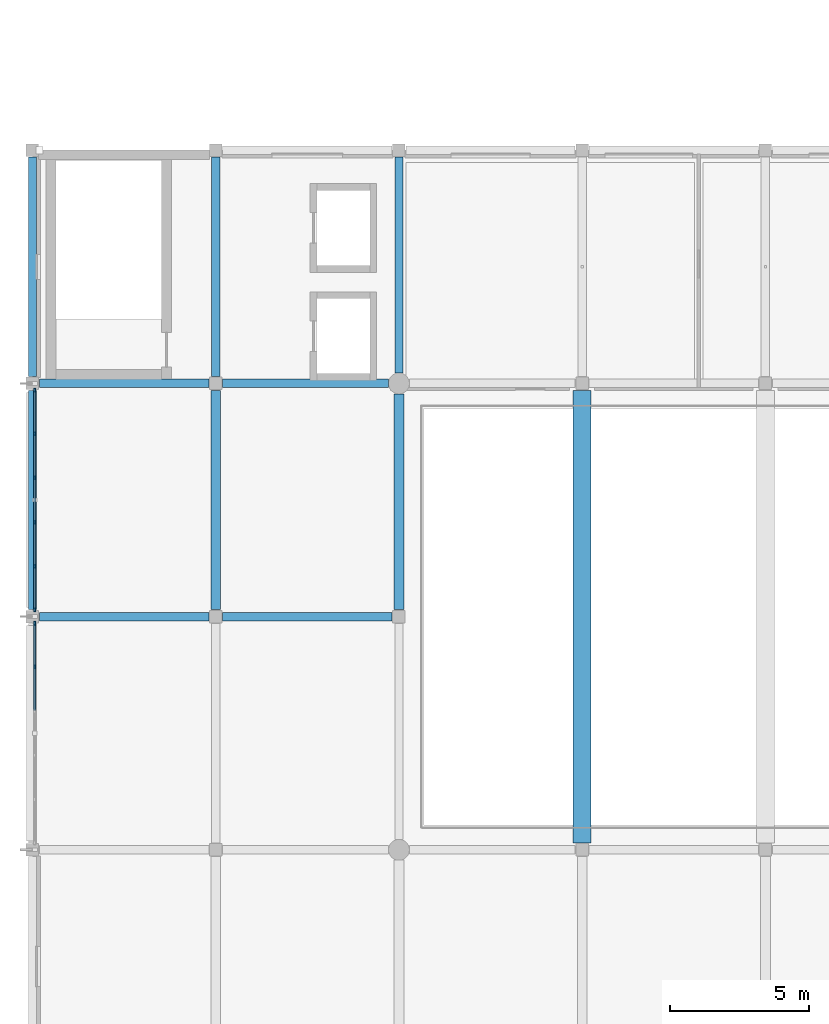
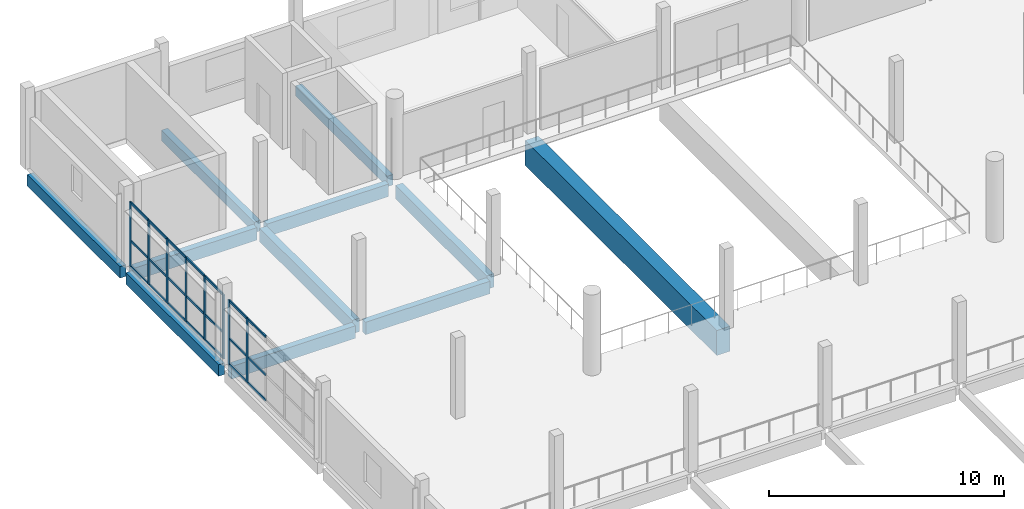
# One storey, part 7 of 74: 29 members, 11 beams, 2 elements without a shape of their own.
"""IFC4 building model written with IfcOpenShell, lengths in metres."""

from ifc_helpers import new_model, si_unit, direction, frame, origin, origin_2d, place, context, subcontext, project, spatial, rectangle, extrude, material, material_profile, profile_set, type_object, element, aggregate, save


model = new_model("IFC4")

# Units and contexts
model_context = context("Model", 3, precision=1e-05, world=origin(), true_north=direction((0.0, 1.0)))
body_context = subcontext(model_context, "Body", "Model", "MODEL_VIEW")
ifc_project = project(units=[si_unit("LENGTHUNIT", "METRE"), si_unit("AREAUNIT", "SQUARE_METRE"), si_unit("VOLUMEUNIT", "CUBIC_METRE"), si_unit("PLANEANGLEUNIT", "RADIAN"), si_unit("MASSUNIT", "GRAM", prefix="KILO")], contexts=[model_context])

# Site, building, storey
site_placement = place(None, origin())
site = spatial("IfcSite", under=ifc_project, at=site_placement, CompositionType="ELEMENT")
building_placement = place(site_placement, origin())
building = spatial("IfcBuilding", under=site, at=building_placement, Name="Qaldarim Faculty of Natural and Applied Sciences", CompositionType="ELEMENT")
storey_placement = place(building_placement, frame((0.0, 0.0, 14.39990234375)))
storey = spatial("IfcBuildingStorey", under=building, at=storey_placement, Name="L03", CompositionType="ELEMENT", Elevation=14.39990234375)

# Beams
ifc_material_1 = material(Name="Concrete C40/50", Category="concrete")
ifc_material_profile_1 = material_profile(ifc_material_1, rectangle(XDim=0.300048828125, YDim=0.550048828125, at=origin_2d()), Name="RC-B300x550")
ifc_profile_set_1 = profile_set([ifc_material_profile_1], Name="Concrete C40/50")
beam_type_1 = type_object("IfcBeamType", Name="FloorBeam-RC300x550", PredefinedType="BEAM", material=ifc_profile_set_1)
beam_1_placement = place(storey_placement, frame((6.60009765625, 75.85009765625, -0.534912109375), z_axis=(0.0, 1.0, 0.0), x_axis=(-1.0, 0.0, 0.0)))
element("IfcBeam", 1, at=beam_1_placement, inside=storey, type_object=beam_type_1, Name="Beam RC-B300x550 L02 X02/Y10-Y11", PredefinedType="BEAM", context=body_context, shape_type="SweptSolid", body=[
    extrude(rectangle(XDim=0.300048828125, YDim=0.550048828125, at=origin_2d()), origin(), (0.0, 0.0, 1.0), 7.89990234375),
])
beam_2_placement = place(storey_placement, frame((13.199951171875, 75.97509765625, -0.534912109375), z_axis=(0.0, 1.0, 0.0), x_axis=(-1.0, 0.0, 0.0)))
element("IfcBeam", 2, at=beam_2_placement, inside=storey, type_object=beam_type_1, Name="Beam RC-B300x550 L02 X03/Y10-Y11", PredefinedType="BEAM", context=body_context, shape_type="SweptSolid", body=[
    extrude(rectangle(XDim=0.300048828125, YDim=0.550048828125, at=origin_2d()), origin(), (0.0, 0.0, 1.0), 7.77490234375),
])

# Curtain wall, members
ifc_material_2 = material(Name="Anodised aluminium AW-6063", Category="aluminium")
curtain_wall_type = type_object("IfcCurtainWallType", Name="CurtainWallSystem-M1500", PredefinedType="USERDEFINED", material=ifc_material_2)
curtain_wall_1_placement = place(storey_placement, origin())
curtain_wall_1 = element("IfcCurtainWall", 3, at=curtain_wall_1_placement, inside=storey, type_object=curtain_wall_type, Name="Curtain wall CW-L03-W-X01Y08", ObjectType="STICK CURTAIN WALL", PredefinedType="USERDEFINED")
ifc_material_profile_2 = material_profile(ifc_material_2, rectangle(XDim=0.06005859375, YDim=0.14990234375, at=origin_2d()), Name="ALU-M60x150")
ifc_profile_set_2 = profile_set([ifc_material_profile_2], Name="Anodised aluminium AW-6063")
member_type_1 = type_object("IfcMemberType", Name="Mullion-ALU60x150", PredefinedType="MULLION", material=ifc_profile_set_2)
member_1_placement = place(storey_placement, frame((0.080078125, 66.949951171875, 0.0), z_axis=(0.0, 0.0, 1.0), x_axis=(1.0, 0.0, 0.0)))
member_1 = element("IfcMember", 4, at=member_1_placement, type_object=member_type_1, Name="Mullion 1 of CW-L03-W-X01Y08", PredefinedType="MULLION", context=body_context, shape_type="SweptSolid", body=[
    extrude(rectangle(XDim=0.06005859375, YDim=0.14990234375, at=origin_2d()), origin(), (0.0, 0.0, 1.0), 3.340087890625),
])
member_2_placement = place(storey_placement, frame((0.080078125, 65.387939453125, 0.0), z_axis=(0.0, 0.0, 1.0), x_axis=(1.0, 0.0, 0.0)))
member_2 = element("IfcMember", 5, at=member_2_placement, type_object=member_type_1, Name="Mullion 2 of CW-L03-W-X01Y08", PredefinedType="MULLION", context=body_context, shape_type="SweptSolid", body=[
    extrude(rectangle(XDim=0.06005859375, YDim=0.14990234375, at=origin_2d()), origin(), (0.0, 0.0, 1.0), 3.340087890625),
])

curtain_wall_2_placement = place(storey_placement, origin())
curtain_wall_2 = element("IfcCurtainWall", 6, at=curtain_wall_2_placement, inside=storey, type_object=curtain_wall_type, Name="Curtain wall CW-L03-W-X01Y09", ObjectType="STICK CURTAIN WALL", PredefinedType="USERDEFINED")
member_3_placement = place(storey_placement, frame((0.080078125, 75.35009765625, 0.0), z_axis=(0.0, 0.0, 1.0), x_axis=(1.0, 0.0, 0.0)))
member_3 = element("IfcMember", 7, at=member_3_placement, type_object=member_type_1, Name="Mullion 1 of CW-L03-W-X01Y09", PredefinedType="MULLION", context=body_context, shape_type="SweptSolid", body=[
    extrude(rectangle(XDim=0.06005859375, YDim=0.14990234375, at=origin_2d()), origin(), (0.0, 0.0, 1.0), 3.340087890625),
])
member_4_placement = place(storey_placement, frame((0.080078125, 73.7880859375, 0.0), z_axis=(0.0, 0.0, 1.0), x_axis=(1.0, 0.0, 0.0)))
member_4 = element("IfcMember", 8, at=member_4_placement, type_object=member_type_1, Name="Mullion 2 of CW-L03-W-X01Y09", PredefinedType="MULLION", context=body_context, shape_type="SweptSolid", body=[
    extrude(rectangle(XDim=0.06005859375, YDim=0.14990234375, at=origin_2d()), origin(), (0.0, 0.0, 1.0), 3.340087890625),
])
member_5_placement = place(storey_placement, frame((0.080078125, 72.196044921875, 0.0), z_axis=(0.0, 0.0, 1.0), x_axis=(1.0, 0.0, 0.0)))
member_5 = element("IfcMember", 9, at=member_5_placement, type_object=member_type_1, Name="Mullion 3 of CW-L03-W-X01Y09", PredefinedType="MULLION", context=body_context, shape_type="SweptSolid", body=[
    extrude(rectangle(XDim=0.06005859375, YDim=0.14990234375, at=origin_2d()), origin(), (0.0, 0.0, 1.0), 3.340087890625),
])
member_6_placement = place(storey_placement, frame((0.080078125, 70.60400390625, 0.0), z_axis=(0.0, 0.0, 1.0), x_axis=(1.0, 0.0, 0.0)))
member_6 = element("IfcMember", 10, at=member_6_placement, type_object=member_type_1, Name="Mullion 4 of CW-L03-W-X01Y09", PredefinedType="MULLION", context=body_context, shape_type="SweptSolid", body=[
    extrude(rectangle(XDim=0.06005859375, YDim=0.14990234375, at=origin_2d()), origin(), (0.0, 0.0, 1.0), 3.340087890625),
])
member_7_placement = place(storey_placement, frame((0.080078125, 69.011962890625, 0.0), z_axis=(0.0, 0.0, 1.0), x_axis=(1.0, 0.0, 0.0)))
member_7 = element("IfcMember", 11, at=member_7_placement, type_object=member_type_1, Name="Mullion 5 of CW-L03-W-X01Y09", PredefinedType="MULLION", context=body_context, shape_type="SweptSolid", body=[
    extrude(rectangle(XDim=0.06005859375, YDim=0.14990234375, at=origin_2d()), origin(), (0.0, 0.0, 1.0), 3.340087890625),
])
member_8_placement = place(storey_placement, frame((0.080078125, 67.449951171875, 0.0), z_axis=(0.0, 0.0, 1.0), x_axis=(1.0, 0.0, 0.0)))
member_8 = element("IfcMember", 12, at=member_8_placement, type_object=member_type_1, Name="Mullion 6 of CW-L03-W-X01Y09", PredefinedType="MULLION", context=body_context, shape_type="SweptSolid", body=[
    extrude(rectangle(XDim=0.06005859375, YDim=0.14990234375, at=origin_2d()), origin(), (0.0, 0.0, 1.0), 3.340087890625),
])

# Beams
ifc_material_profile_3 = material_profile(ifc_material_1, rectangle(XDim=0.300048828125, YDim=0.64990234375, at=origin_2d()), Name="RC-B300x650")
ifc_profile_set_3 = profile_set([ifc_material_profile_3], Name="Concrete C40/50")
beam_type_2 = type_object("IfcBeamType", Name="PrimaryBeam-RC300x650", PredefinedType="BEAM", material=ifc_profile_set_3)
beam_3_placement = place(storey_placement, frame((0.25, 67.199951171875, -0.5849609375), z_axis=(1.0, 0.0, 0.0), x_axis=(0.0, 1.0, 0.0)))
element("IfcBeam", 13, at=beam_3_placement, inside=storey, type_object=beam_type_2, Name="Beam RC-B300x650 L02 X01-X02/Y09", PredefinedType="BEAM", context=body_context, shape_type="SweptSolid", body=[
    extrude(rectangle(XDim=0.300048828125, YDim=0.64990234375, at=origin_2d()), origin(), (0.0, 0.0, 1.0), 6.10009765625),
])
beam_4_placement = place(storey_placement, frame((6.85009765625, 67.199951171875, -0.5849609375), z_axis=(1.0, 0.0, 0.0), x_axis=(0.0, 1.0, 0.0)))
element("IfcBeam", 14, at=beam_4_placement, inside=storey, type_object=beam_type_2, Name="Beam RC-B300x650 L02 X02-X03/Y09", PredefinedType="BEAM", context=body_context, shape_type="SweptSolid", body=[
    extrude(rectangle(XDim=0.300048828125, YDim=0.64990234375, at=origin_2d()), origin(), (0.0, 0.0, 1.0), 6.099853515625),
])
beam_5_placement = place(storey_placement, frame((0.25, 75.60009765625, -0.5849609375), z_axis=(1.0, 0.0, 0.0), x_axis=(0.0, 1.0, 0.0)))
element("IfcBeam", 15, at=beam_5_placement, inside=storey, type_object=beam_type_2, Name="Beam RC-B300x650 L02 X01-X02/Y10", PredefinedType="BEAM", context=body_context, shape_type="SweptSolid", body=[
    extrude(rectangle(XDim=0.300048828125, YDim=0.64990234375, at=origin_2d()), origin(), (0.0, 0.0, 1.0), 6.10009765625),
])
beam_6_placement = place(storey_placement, frame((6.85009765625, 75.60009765625, -0.5849609375), z_axis=(1.0, 0.0, 0.0), x_axis=(0.0, 1.0, 0.0)))
element("IfcBeam", 16, at=beam_6_placement, inside=storey, type_object=beam_type_2, Name="Beam RC-B300x650 L02 X02-X03/Y10", PredefinedType="BEAM", context=body_context, shape_type="SweptSolid", body=[
    extrude(rectangle(XDim=0.300048828125, YDim=0.64990234375, at=origin_2d()), origin(), (0.0, 0.0, 1.0), 5.974853515625),
])
ifc_material_profile_4 = material_profile(ifc_material_1, rectangle(XDim=0.35009765625, YDim=0.699951171875, at=origin_2d()), Name="RC-B350x700")
ifc_profile_set_4 = profile_set([ifc_material_profile_4], Name="Concrete C40/50")
beam_type_3 = type_object("IfcBeamType", Name="PrimaryGirder-RC350x700", PredefinedType="BEAM", material=ifc_profile_set_4)
beam_7_placement = place(storey_placement, frame((6.60009765625, 67.449951171875, -0.60986328125), z_axis=(0.0, 1.0, 0.0), x_axis=(-1.0, 0.0, 0.0)))
element("IfcBeam", 17, at=beam_7_placement, inside=storey, type_object=beam_type_3, Name="Beam RC-B350x700 L02 X02/Y09-Y10", PredefinedType="BEAM", context=body_context, shape_type="SweptSolid", body=[
    extrude(rectangle(XDim=0.35009765625, YDim=0.699951171875, at=origin_2d()), origin(), (0.0, 0.0, 1.0), 7.900146484375),
])
beam_8_placement = place(storey_placement, frame((13.199951171875, 67.449951171875, -0.60986328125), z_axis=(0.0, 1.0, 0.0), x_axis=(-1.0, 0.0, 0.0)))
element("IfcBeam", 18, at=beam_8_placement, inside=storey, type_object=beam_type_3, Name="Beam RC-B350x700 L02 X03/Y09-Y10", PredefinedType="BEAM", context=body_context, shape_type="SweptSolid", body=[
    extrude(rectangle(XDim=0.35009765625, YDim=0.699951171875, at=origin_2d()), origin(), (0.0, 0.0, 1.0), 7.775146484375),
])
ifc_material_3 = material(Name="Precast concrete C40/50", Category="concrete")
ifc_material_profile_5 = material_profile(ifc_material_3, rectangle(XDim=0.300048828125, YDim=0.60009765625, at=origin_2d()), Name="RC-SP300x600")
ifc_profile_set_5 = profile_set([ifc_material_profile_5], Name="Precast concrete C40/50")
beam_type_4 = type_object("IfcBeamType", Name="SpandrelBeam-RC300x600", PredefinedType="SPANDREL", material=ifc_profile_set_5)
beam_9_placement = place(storey_placement, frame((0.0, 67.449951171875, -0.559814453125), z_axis=(0.0, 1.0, 0.0), x_axis=(-1.0, 0.0, 0.0)))
element("IfcBeam", 19, at=beam_9_placement, inside=storey, type_object=beam_type_4, Name="Beam RC-SP300x600 L02 X01/Y09-Y10", PredefinedType="SPANDREL", context=body_context, shape_type="SweptSolid", body=[
    extrude(rectangle(XDim=0.300048828125, YDim=0.60009765625, at=origin_2d()), origin(), (0.0, 0.0, 1.0), 7.900146484375),
])
beam_10_placement = place(storey_placement, frame((0.0, 75.85009765625, -0.559814453125), z_axis=(0.0, 1.0, 0.0), x_axis=(-1.0, 0.0, 0.0)))
element("IfcBeam", 20, at=beam_10_placement, inside=storey, type_object=beam_type_4, Name="Beam RC-SP300x600 L02 X01/Y10-Y11", PredefinedType="SPANDREL", context=body_context, shape_type="SweptSolid", body=[
    extrude(rectangle(XDim=0.300048828125, YDim=0.60009765625, at=origin_2d()), origin(), (0.0, 0.0, 1.0), 7.89990234375),
])
ifc_material_4 = material(Name="Concrete C50/60", Category="concrete")
ifc_material_profile_6 = material_profile(ifc_material_4, rectangle(XDim=0.64990234375, YDim=1.300048828125, at=origin_2d()), Name="RC-TG650x1300")
ifc_profile_set_6 = profile_set([ifc_material_profile_6], Name="Concrete C50/60")
beam_type_5 = type_object("IfcBeamType", Name="TransferGirder-RC650x1300", PredefinedType="BEAM", material=ifc_profile_set_6)
beam_11_placement = place(storey_placement, frame((19.800048828125, 59.050048828125, -0.909912109375), z_axis=(0.0, 1.0, 0.0), x_axis=(-1.0, 0.0, 0.0)))
element("IfcBeam", 21, at=beam_11_placement, inside=storey, type_object=beam_type_5, Name="Long-span girder L02 X04 Y08-Y10", PredefinedType="BEAM", context=body_context, shape_type="SweptSolid", body=[
    extrude(rectangle(XDim=0.64990234375, YDim=1.300048828125, at=origin_2d()), origin(), (0.0, 0.0, 1.0), 16.300048828125),
])

# Member
ifc_material_profile_7 = material_profile(ifc_material_2, rectangle(XDim=0.06005859375, YDim=0.1201171875, at=origin_2d()), Name="ALU-T60x120")
ifc_profile_set_7 = profile_set([ifc_material_profile_7], Name="Anodised aluminium AW-6063")
member_type_2 = type_object("IfcMemberType", Name="Transom-ALU60x120", PredefinedType="USERDEFINED", material=ifc_profile_set_7)
member_9_placement = place(storey_placement, frame((0.080078125, 66.919921875, 0.030029296875), z_axis=(0.0, -1.0, 0.0), x_axis=(1.0, 0.0, 0.0)))
member_9 = element("IfcMember", 22, at=member_9_placement, type_object=member_type_2, Name="Transom 1-1 of CW-L03-W-X01Y08", ObjectType="TRANSOM", PredefinedType="USERDEFINED", context=body_context, shape_type="SweptSolid", body=[
    extrude(rectangle(XDim=0.06005859375, YDim=0.1201171875, at=origin_2d()), origin(), (0.0, 0.0, 1.0), 1.501953125),
])

member_10_placement = place(storey_placement, frame((0.080078125, 66.919921875, 1.35009765625), z_axis=(0.0, -1.0, 0.0), x_axis=(1.0, 0.0, 0.0)))
member_10 = element("IfcMember", 23, at=member_10_placement, type_object=member_type_2, Name="Transom 1-2 of CW-L03-W-X01Y08", ObjectType="TRANSOM", PredefinedType="USERDEFINED", context=body_context, shape_type="SweptSolid", body=[
    extrude(rectangle(XDim=0.06005859375, YDim=0.1201171875, at=origin_2d()), origin(), (0.0, 0.0, 1.0), 1.501953125),
])

member_11_placement = place(storey_placement, frame((0.080078125, 66.919921875, 3.31005859375), z_axis=(0.0, -1.0, 0.0), x_axis=(1.0, 0.0, 0.0)))
member_11 = element("IfcMember", 24, at=member_11_placement, type_object=member_type_2, Name="Transom 1-3 of CW-L03-W-X01Y08", ObjectType="TRANSOM", PredefinedType="USERDEFINED", context=body_context, shape_type="SweptSolid", body=[
    extrude(rectangle(XDim=0.06005859375, YDim=0.1201171875, at=origin_2d()), origin(), (0.0, 0.0, 1.0), 1.501953125),
])

member_12_placement = place(storey_placement, frame((0.080078125, 65.35791015625, 0.030029296875), z_axis=(0.0, -1.0, 0.0), x_axis=(1.0, 0.0, 0.0)))
member_12 = element("IfcMember", 25, at=member_12_placement, type_object=member_type_2, Name="Transom 2-1 of CW-L03-W-X01Y08", ObjectType="TRANSOM", PredefinedType="USERDEFINED", context=body_context, shape_type="SweptSolid", body=[
    extrude(rectangle(XDim=0.06005859375, YDim=0.1201171875, at=origin_2d()), origin(), (0.0, 0.0, 1.0), 1.531982421875),
])

member_13_placement = place(storey_placement, frame((0.080078125, 65.35791015625, 1.35009765625), z_axis=(0.0, -1.0, 0.0), x_axis=(1.0, 0.0, 0.0)))
member_13 = element("IfcMember", 26, at=member_13_placement, type_object=member_type_2, Name="Transom 2-2 of CW-L03-W-X01Y08", ObjectType="TRANSOM", PredefinedType="USERDEFINED", context=body_context, shape_type="SweptSolid", body=[
    extrude(rectangle(XDim=0.06005859375, YDim=0.1201171875, at=origin_2d()), origin(), (0.0, 0.0, 1.0), 1.531982421875),
])

member_14_placement = place(storey_placement, frame((0.080078125, 65.35791015625, 3.31005859375), z_axis=(0.0, -1.0, 0.0), x_axis=(1.0, 0.0, 0.0)))
member_14 = element("IfcMember", 27, at=member_14_placement, type_object=member_type_2, Name="Transom 2-3 of CW-L03-W-X01Y08", ObjectType="TRANSOM", PredefinedType="USERDEFINED", context=body_context, shape_type="SweptSolid", body=[
    extrude(rectangle(XDim=0.06005859375, YDim=0.1201171875, at=origin_2d()), origin(), (0.0, 0.0, 1.0), 1.531982421875),
])

aggregate(curtain_wall_1, [member_1, member_2, member_9, member_10, member_11, member_12, member_13, member_14])

member_15_placement = place(storey_placement, frame((0.080078125, 75.320068359375, 0.030029296875), z_axis=(0.0, -1.0, 0.0), x_axis=(1.0, 0.0, 0.0)))
member_15 = element("IfcMember", 28, at=member_15_placement, type_object=member_type_2, Name="Transom 1-1 of CW-L03-W-X01Y09", ObjectType="TRANSOM", PredefinedType="USERDEFINED", context=body_context, shape_type="SweptSolid", body=[
    extrude(rectangle(XDim=0.06005859375, YDim=0.1201171875, at=origin_2d()), origin(), (0.0, 0.0, 1.0), 1.501953125),
])

member_16_placement = place(storey_placement, frame((0.080078125, 75.320068359375, 1.35009765625), z_axis=(0.0, -1.0, 0.0), x_axis=(1.0, 0.0, 0.0)))
member_16 = element("IfcMember", 29, at=member_16_placement, type_object=member_type_2, Name="Transom 1-2 of CW-L03-W-X01Y09", ObjectType="TRANSOM", PredefinedType="USERDEFINED", context=body_context, shape_type="SweptSolid", body=[
    extrude(rectangle(XDim=0.06005859375, YDim=0.1201171875, at=origin_2d()), origin(), (0.0, 0.0, 1.0), 1.501953125),
])

member_17_placement = place(storey_placement, frame((0.080078125, 75.320068359375, 3.31005859375), z_axis=(0.0, -1.0, 0.0), x_axis=(1.0, 0.0, 0.0)))
member_17 = element("IfcMember", 30, at=member_17_placement, type_object=member_type_2, Name="Transom 1-3 of CW-L03-W-X01Y09", ObjectType="TRANSOM", PredefinedType="USERDEFINED", context=body_context, shape_type="SweptSolid", body=[
    extrude(rectangle(XDim=0.06005859375, YDim=0.1201171875, at=origin_2d()), origin(), (0.0, 0.0, 1.0), 1.501953125),
])

member_18_placement = place(storey_placement, frame((0.080078125, 73.758056640625, 0.030029296875), z_axis=(0.0, -1.0, 0.0), x_axis=(1.0, 0.0, 0.0)))
member_18 = element("IfcMember", 31, at=member_18_placement, type_object=member_type_2, Name="Transom 2-1 of CW-L03-W-X01Y09", ObjectType="TRANSOM", PredefinedType="USERDEFINED", context=body_context, shape_type="SweptSolid", body=[
    extrude(rectangle(XDim=0.06005859375, YDim=0.1201171875, at=origin_2d()), origin(), (0.0, 0.0, 1.0), 1.531982421875),
])

member_19_placement = place(storey_placement, frame((0.080078125, 73.758056640625, 1.35009765625), z_axis=(0.0, -1.0, 0.0), x_axis=(1.0, 0.0, 0.0)))
member_19 = element("IfcMember", 32, at=member_19_placement, type_object=member_type_2, Name="Transom 2-2 of CW-L03-W-X01Y09", ObjectType="TRANSOM", PredefinedType="USERDEFINED", context=body_context, shape_type="SweptSolid", body=[
    extrude(rectangle(XDim=0.06005859375, YDim=0.1201171875, at=origin_2d()), origin(), (0.0, 0.0, 1.0), 1.531982421875),
])

member_20_placement = place(storey_placement, frame((0.080078125, 73.758056640625, 3.31005859375), z_axis=(0.0, -1.0, 0.0), x_axis=(1.0, 0.0, 0.0)))
member_20 = element("IfcMember", 33, at=member_20_placement, type_object=member_type_2, Name="Transom 2-3 of CW-L03-W-X01Y09", ObjectType="TRANSOM", PredefinedType="USERDEFINED", context=body_context, shape_type="SweptSolid", body=[
    extrude(rectangle(XDim=0.06005859375, YDim=0.1201171875, at=origin_2d()), origin(), (0.0, 0.0, 1.0), 1.531982421875),
])

member_21_placement = place(storey_placement, frame((0.080078125, 72.166015625, 0.030029296875), z_axis=(0.0, -1.0, 0.0), x_axis=(1.0, 0.0, 0.0)))
member_21 = element("IfcMember", 34, at=member_21_placement, type_object=member_type_2, Name="Transom 3-1 of CW-L03-W-X01Y09", ObjectType="TRANSOM", PredefinedType="USERDEFINED", context=body_context, shape_type="SweptSolid", body=[
    extrude(rectangle(XDim=0.06005859375, YDim=0.1201171875, at=origin_2d()), origin(), (0.0, 0.0, 1.0), 1.531982421875),
])

member_22_placement = place(storey_placement, frame((0.080078125, 72.166015625, 1.35009765625), z_axis=(0.0, -1.0, 0.0), x_axis=(1.0, 0.0, 0.0)))
member_22 = element("IfcMember", 35, at=member_22_placement, type_object=member_type_2, Name="Transom 3-2 of CW-L03-W-X01Y09", ObjectType="TRANSOM", PredefinedType="USERDEFINED", context=body_context, shape_type="SweptSolid", body=[
    extrude(rectangle(XDim=0.06005859375, YDim=0.1201171875, at=origin_2d()), origin(), (0.0, 0.0, 1.0), 1.531982421875),
])

member_23_placement = place(storey_placement, frame((0.080078125, 72.166015625, 3.31005859375), z_axis=(0.0, -1.0, 0.0), x_axis=(1.0, 0.0, 0.0)))
member_23 = element("IfcMember", 36, at=member_23_placement, type_object=member_type_2, Name="Transom 3-3 of CW-L03-W-X01Y09", ObjectType="TRANSOM", PredefinedType="USERDEFINED", context=body_context, shape_type="SweptSolid", body=[
    extrude(rectangle(XDim=0.06005859375, YDim=0.1201171875, at=origin_2d()), origin(), (0.0, 0.0, 1.0), 1.531982421875),
])

member_24_placement = place(storey_placement, frame((0.080078125, 70.573974609375, 0.030029296875), z_axis=(0.0, -1.0, 0.0), x_axis=(1.0, 0.0, 0.0)))
member_24 = element("IfcMember", 37, at=member_24_placement, type_object=member_type_2, Name="Transom 4-1 of CW-L03-W-X01Y09", ObjectType="TRANSOM", PredefinedType="USERDEFINED", context=body_context, shape_type="SweptSolid", body=[
    extrude(rectangle(XDim=0.06005859375, YDim=0.1201171875, at=origin_2d()), origin(), (0.0, 0.0, 1.0), 1.531982421875),
])

member_25_placement = place(storey_placement, frame((0.080078125, 70.573974609375, 1.35009765625), z_axis=(0.0, -1.0, 0.0), x_axis=(1.0, 0.0, 0.0)))
member_25 = element("IfcMember", 38, at=member_25_placement, type_object=member_type_2, Name="Transom 4-2 of CW-L03-W-X01Y09", ObjectType="TRANSOM", PredefinedType="USERDEFINED", context=body_context, shape_type="SweptSolid", body=[
    extrude(rectangle(XDim=0.06005859375, YDim=0.1201171875, at=origin_2d()), origin(), (0.0, 0.0, 1.0), 1.531982421875),
])

member_26_placement = place(storey_placement, frame((0.080078125, 70.573974609375, 3.31005859375), z_axis=(0.0, -1.0, 0.0), x_axis=(1.0, 0.0, 0.0)))
member_26 = element("IfcMember", 39, at=member_26_placement, type_object=member_type_2, Name="Transom 4-3 of CW-L03-W-X01Y09", ObjectType="TRANSOM", PredefinedType="USERDEFINED", context=body_context, shape_type="SweptSolid", body=[
    extrude(rectangle(XDim=0.06005859375, YDim=0.1201171875, at=origin_2d()), origin(), (0.0, 0.0, 1.0), 1.531982421875),
])

member_27_placement = place(storey_placement, frame((0.080078125, 68.98193359375, 0.030029296875), z_axis=(0.0, -1.0, 0.0), x_axis=(1.0, 0.0, 0.0)))
member_27 = element("IfcMember", 40, at=member_27_placement, type_object=member_type_2, Name="Transom 5-1 of CW-L03-W-X01Y09", ObjectType="TRANSOM", PredefinedType="USERDEFINED", context=body_context, shape_type="SweptSolid", body=[
    extrude(rectangle(XDim=0.06005859375, YDim=0.1201171875, at=origin_2d()), origin(), (0.0, 0.0, 1.0), 1.501953125),
])

member_28_placement = place(storey_placement, frame((0.080078125, 68.98193359375, 1.35009765625), z_axis=(0.0, -1.0, 0.0), x_axis=(1.0, 0.0, 0.0)))
member_28 = element("IfcMember", 41, at=member_28_placement, type_object=member_type_2, Name="Transom 5-2 of CW-L03-W-X01Y09", ObjectType="TRANSOM", PredefinedType="USERDEFINED", context=body_context, shape_type="SweptSolid", body=[
    extrude(rectangle(XDim=0.06005859375, YDim=0.1201171875, at=origin_2d()), origin(), (0.0, 0.0, 1.0), 1.501953125),
])

member_29_placement = place(storey_placement, frame((0.080078125, 68.98193359375, 3.31005859375), z_axis=(0.0, -1.0, 0.0), x_axis=(1.0, 0.0, 0.0)))
member_29 = element("IfcMember", 42, at=member_29_placement, type_object=member_type_2, Name="Transom 5-3 of CW-L03-W-X01Y09", ObjectType="TRANSOM", PredefinedType="USERDEFINED", context=body_context, shape_type="SweptSolid", body=[
    extrude(rectangle(XDim=0.06005859375, YDim=0.1201171875, at=origin_2d()), origin(), (0.0, 0.0, 1.0), 1.501953125),
])

aggregate(curtain_wall_2, [member_3, member_4, member_5, member_6, member_7, member_8, member_15, member_16, member_17, member_18, member_19, member_20, member_21, member_22, member_23, member_24, member_25, member_26, member_27, member_28, member_29])

save(model, "model.ifc")
